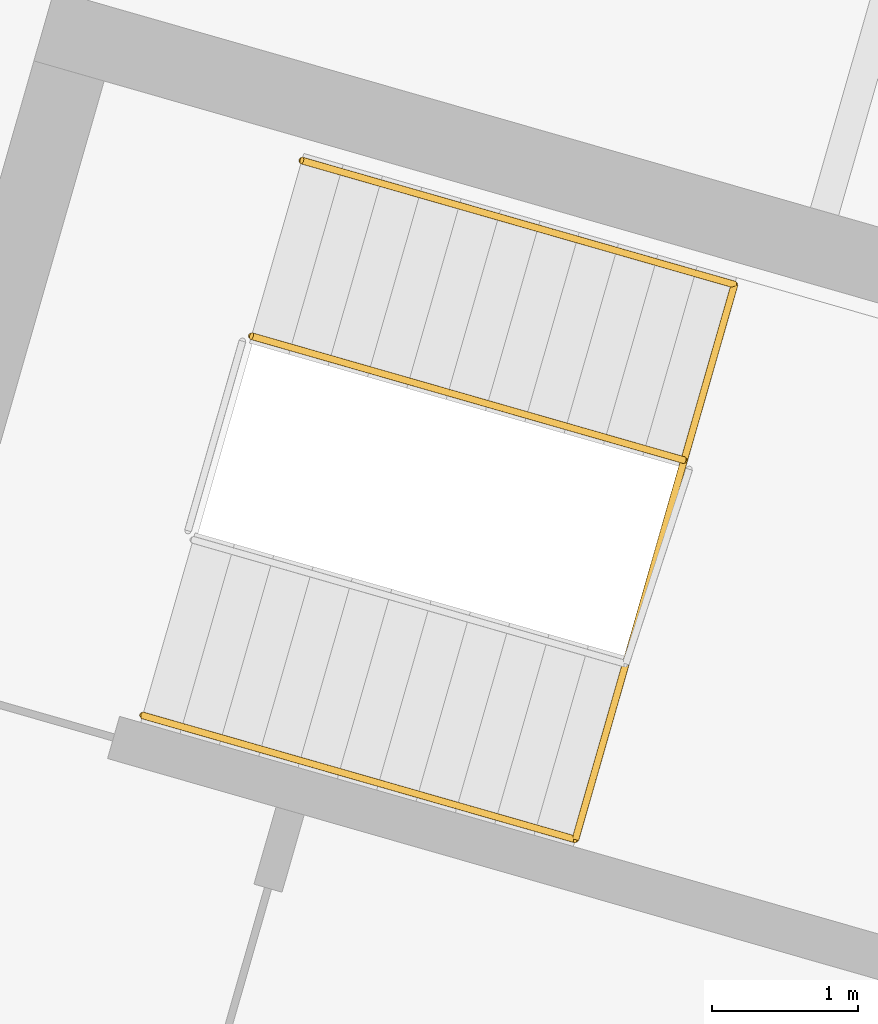
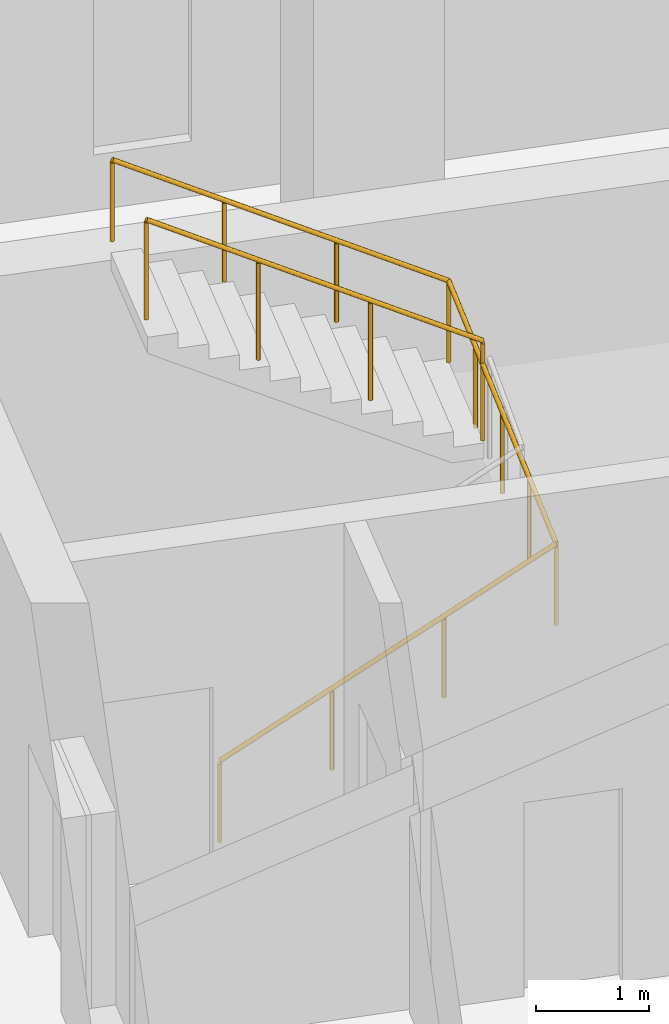
# One storey, part 9 of 9: 2 railings.
"""IFC4 building model written with IfcOpenShell, lengths in metres."""

from ifc_helpers import new_model, si_unit, direction, frame, origin, origin_2d, place, context, subcontext, project, spatial, circle, extrude, material, type_object, element, save


model = new_model("IFC4")

# Units and contexts
model_context = context("Model", 3, precision=1e-05, world=origin(), true_north=direction((0.0, 1.0)))
body_context = subcontext(model_context, "Body", "Model", "MODEL_VIEW")
ifc_project = project(units=[si_unit("LENGTHUNIT", "METRE"), si_unit("AREAUNIT", "SQUARE_METRE"), si_unit("VOLUMEUNIT", "CUBIC_METRE"), si_unit("PLANEANGLEUNIT", "RADIAN"), si_unit("MASSUNIT", "GRAM", prefix="KILO")], contexts=[model_context])

# Site, building, storey
site_placement = place(None, origin())
site = spatial("IfcSite", under=ifc_project, at=site_placement, CompositionType="ELEMENT")
building_placement = place(site_placement, origin())
building = spatial("IfcBuilding", under=site, at=building_placement, Name="Binnacle Exchange Tower", CompositionType="ELEMENT")
storey_placement = place(building_placement, frame((0.0, 0.0, 158.89990234375)))
storey = spatial("IfcBuildingStorey", under=building, at=storey_placement, Name="L33", CompositionType="ELEMENT", Elevation=158.89990234375)

# Railings
ifc_material_1 = material(Name="Steel guard rail", Category="steel")
railing_type_1 = type_object("IfcRailingType", Name="STAIR GUARD 1100", PredefinedType="GUARDRAIL", material=ifc_material_1)
railing_1_placement = place(storey_placement, frame((24.447021484375, 57.255126953125, 2.166748046875)))
element("IfcRailing", 1, at=railing_1_placement, inside=storey, type_object=railing_type_1, Name="L33 STD1 stair guard 2", PredefinedType="GUARDRAIL", context=body_context, shape_type="SweptSolid", body=[
    extrude(circle(Radius=0.02392578125, at=origin_2d()), frame((0.0, 0.0, 1.076171875), z_axis=(-0.826006950853, 0.236897186037, 0.511460888427), x_axis=(-0.27568413623, -0.961248280639, 0.0)), (0.0, 0.0, 1.0), 3.584228515625),
    extrude(circle(Radius=0.02099609375, at=origin_2d()), origin(), (0.0, 0.0, 1.0), 1.052001953125),
    extrude(circle(Radius=0.02099609375, at=origin_2d()), frame((-0.98681640625, 0.282958984375, 0.611083984375)), (0.0, 0.0, 1.0), 1.052001953125),
    extrude(circle(Radius=0.02099609375, at=origin_2d()), frame((-1.973876953125, 0.566162109375, 1.22216796875)), (0.0, 0.0, 1.0), 1.052001953125),
    extrude(circle(Radius=0.02099609375, at=origin_2d()), frame((-2.960693359375, 0.84912109375, 1.833251953125)), (0.0, 0.0, 1.0), 1.052001953125),
])
ifc_material_2 = material(Name="Steel handrail", Category="steel")
railing_type_2 = type_object("IfcRailingType", Name="STAIR HANDRAIL 900", PredefinedType="HANDRAIL", material=ifc_material_2)
railing_2_placement = place(storey_placement, frame((20.7421875, 55.5087890625, 0.166748046875)))
element("IfcRailing", 2, at=railing_2_placement, inside=storey, type_object=railing_type_2, Name="L33 STD1 stair handrail 1", PredefinedType="HANDRAIL", context=body_context, shape_type="SweptSolid", body=[
    extrude(circle(Radius=0.02392578125, at=origin_2d()), frame((0.0, 0.0, 0.8759765625), z_axis=(0.826020277534, -0.236832893954, 0.511469140266), x_axis=(0.275610892984, 0.961269283639, 0.0)), (0.0, 0.0, 1.0), 3.584228515625),
    extrude(circle(Radius=0.02392578125, at=origin_2d()), frame((2.960693359375, -0.848876953125, 2.708984375), z_axis=(0.275365570671, 0.960413849534, 0.042178668932), x_axis=(-0.961269298493, 0.275610841177, 0.0)), (0.0, 0.0, 1.0), 3.953369140625),
    extrude(circle(Radius=0.02392578125, at=origin_2d()), frame((4.04931640625, 2.947998046875, 2.8759765625), z_axis=(-0.826020277534, 0.236832893954, 0.511469140266), x_axis=(-0.275610892984, -0.961269283639, 0.0)), (0.0, 0.0, 1.0), 3.584228515625),
    extrude(circle(Radius=0.02099609375, at=origin_2d()), origin(), (0.0, 0.0, 1.0), 0.851806640625),
    extrude(circle(Radius=0.02099609375, at=origin_2d()), frame((0.98681640625, -0.282958984375, 0.611083984375)), (0.0, 0.0, 1.0), 0.851806640625),
    extrude(circle(Radius=0.02099609375, at=origin_2d()), frame((1.973876953125, -0.56591796875, 1.22216796875)), (0.0, 0.0, 1.0), 0.851806640625),
    extrude(circle(Radius=0.02099609375, at=origin_2d()), frame((2.960693359375, -0.848876953125, 1.833251953125)), (0.0, 0.0, 1.0), 0.851806640625),
    extrude(circle(Radius=0.02099609375, at=origin_2d()), frame((3.23291015625, 0.100341796875, 1.875)), (0.0, 0.0, 1.0), 0.851806640625),
    extrude(circle(Radius=0.02099609375, at=origin_2d()), frame((3.5048828125, 1.049560546875, 1.91650390625)), (0.0, 0.0, 1.0), 0.851806640625),
    extrude(circle(Radius=0.02099609375, at=origin_2d()), frame((3.777099609375, 1.998779296875, 1.958251953125)), (0.0, 0.0, 1.0), 0.851806640625),
    extrude(circle(Radius=0.02099609375, at=origin_2d()), frame((4.04931640625, 2.947998046875, 2.0)), (0.0, 0.0, 1.0), 0.851806640625),
    extrude(circle(Radius=0.02099609375, at=origin_2d()), frame((3.0625, 3.23095703125, 2.611083984375)), (0.0, 0.0, 1.0), 0.851806640625),
    extrude(circle(Radius=0.02099609375, at=origin_2d()), frame((2.075439453125, 3.513916015625, 3.22216796875)), (0.0, 0.0, 1.0), 0.851806640625),
    extrude(circle(Radius=0.02099609375, at=origin_2d()), frame((1.088623046875, 3.796875, 3.833251953125)), (0.0, 0.0, 1.0), 0.851806640625),
])

save(model, "model.ifc")
